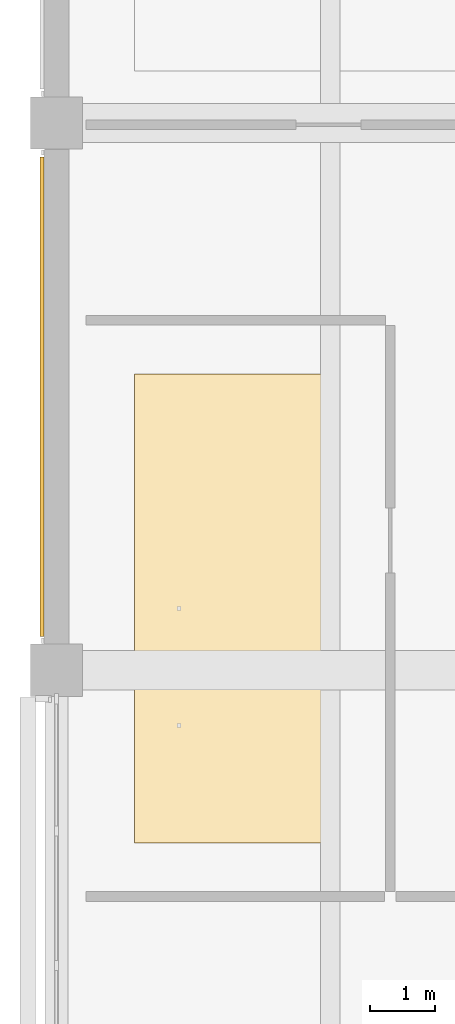
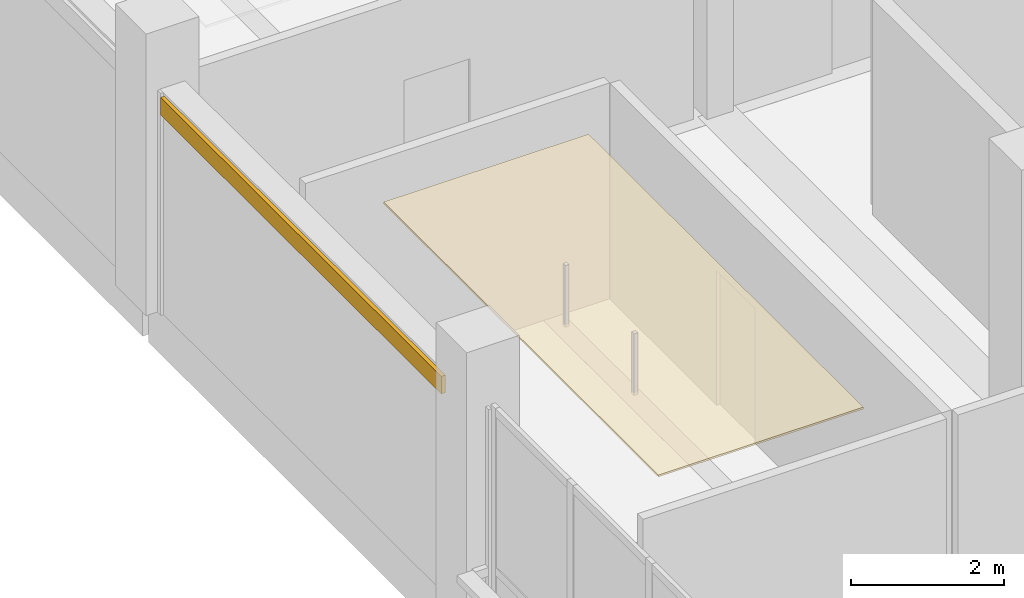
# One storey, part 24 of 35: 2 coverings.
"""IFC4 building model written with IfcOpenShell, lengths in metres."""

from ifc_helpers import new_model, si_unit, direction, frame, origin, origin_2d, place, context, subcontext, project, spatial, polyline, rectangle, outline, extrude, material, layer, layer_set, type_object, element, save


model = new_model("IFC4")

# Units and contexts
model_context = context("Model", 3, precision=1e-05, world=origin(), true_north=direction((0.0, 1.0)))
body_context = subcontext(model_context, "Body", "Model", "MODEL_VIEW")
ifc_project = project(units=[si_unit("LENGTHUNIT", "METRE"), si_unit("AREAUNIT", "SQUARE_METRE"), si_unit("VOLUMEUNIT", "CUBIC_METRE"), si_unit("PLANEANGLEUNIT", "RADIAN"), si_unit("MASSUNIT", "GRAM", prefix="KILO")], contexts=[model_context])

# Site, building, storey
site_placement = place(None, origin())
site = spatial("IfcSite", under=ifc_project, at=site_placement, CompositionType="ELEMENT")
building_placement = place(site_placement, origin())
building = spatial("IfcBuilding", under=site, at=building_placement, Name="Telukmera Botanical Conservatory", CompositionType="ELEMENT")
storey_placement = place(building_placement, frame((0.0, 0.0, 28.5)))
storey = spatial("IfcBuildingStorey", under=building, at=storey_placement, Name="L06", CompositionType="ELEMENT", Elevation=28.5)

# Coverings
ifc_material_1 = material(Name="Mineral fibre acoustic ceiling")
ifc_layer_1 = layer(ifc_material_1, 0.030029296875)
ifc_layer_set_1 = layer_set([ifc_layer_1], Name="Mineral fibre acoustic ceiling")
covering_type_1 = type_object("IfcCoveringType", Name="COV-CEIL-30", PredefinedType="CEILING", material=ifc_layer_set_1)
covering_1_placement = place(storey_placement, frame((0.0, 0.0, 3.320068359375)))
element("IfcCovering", 1, at=covering_1_placement, inside=storey, type_object=covering_type_1, Name="L06 West Herbarium Curation Studio Suspended Acoustic Ceiling", PredefinedType="CEILING", context=body_context, shape_type="SweptSolid", body=[
    extrude(outline(polyline([(51.60009765625, 14.949951171875), (54.699951171875, 14.949951171875), (54.699951171875, 22.14990234375), (51.60009765625, 22.14990234375), (51.60009765625, 14.949951171875)])), origin(), (0.0, 0.0, 1.0), 0.030029296875),
])
ifc_material_2 = material(Name="Terracotta-faced precast concrete C40/50", Category="masonry")
ifc_layer_2 = layer(ifc_material_2, 0.06005859375)
ifc_layer_set_2 = layer_set([ifc_layer_2], Name="Terracotta-faced precast concrete C40/50")
covering_type_2 = type_object("IfcCoveringType", Name="Polychrome Terracotta Facade Band Cladding", PredefinedType="CLADDING", material=ifc_layer_set_2)
covering_2_placement = place(storey_placement, frame((50.179931640625, 21.800048828125, 3.22998046875), z_axis=(0.0, 0.0, 1.0), x_axis=(0.0, 1.0, 0.0)))
element("IfcCovering", 2, at=covering_2_placement, inside=storey, type_object=covering_type_2, Name="Polychrome Terracotta Band V4:L06:W2", PredefinedType="CLADDING", context=body_context, shape_type="SweptSolid", body=[
    extrude(rectangle(XDim=7.35595703125, YDim=0.06005859375, at=origin_2d()), origin(), (0.0, 0.0, 1.0), 0.280029296875),
])

save(model, "model.ifc")
